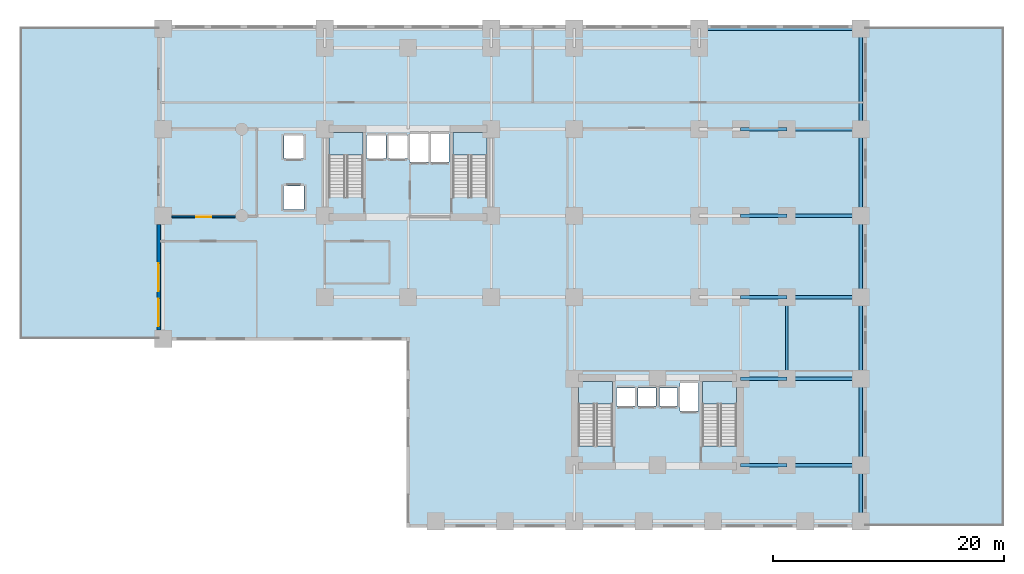
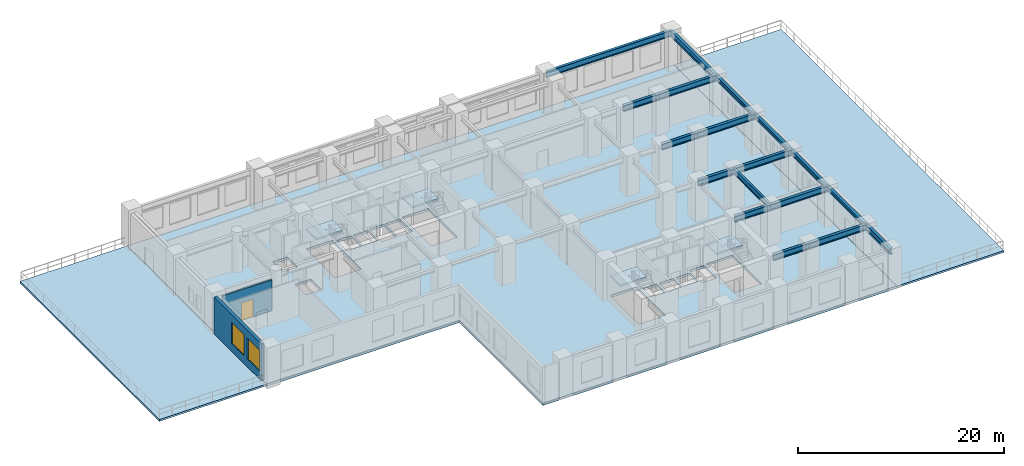
# One storey, part 2 of 10: 18 beams, 7 slabs, 2 walls, 2 windows, 1 door, 3 openings, 4 elements without a shape of their own.
"""IFC4 building model written with IfcOpenShell, lengths in metres."""

from ifc_helpers import new_model, si_unit, direction, frame, frame_2d, origin, origin_2d, place, context, subcontext, project, spatial, polyline, rectangle, i_section, outline, extrude, source, transform, mapped, material, layer, layer_set, material_profile, profile_set, type_object, element, fill, aggregate, save


model = new_model("IFC4")

# Units and contexts
model_context = context("Model", 3, precision=1e-05, world=origin(), true_north=direction((0.0, 1.0)))
body_context = subcontext(model_context, "Body", "Model", "MODEL_VIEW")
ifc_project = project(units=[si_unit("LENGTHUNIT", "METRE"), si_unit("AREAUNIT", "SQUARE_METRE"), si_unit("VOLUMEUNIT", "CUBIC_METRE"), si_unit("PLANEANGLEUNIT", "RADIAN"), si_unit("MASSUNIT", "GRAM", prefix="KILO")], contexts=[model_context])

# Site, building, storey
site_placement = place(None, origin())
site = spatial("IfcSite", under=ifc_project, at=site_placement, CompositionType="ELEMENT")
building_placement = place(site_placement, origin())
building = spatial("IfcBuilding", under=site, at=building_placement, Name="Kaliganga Portal Commons", CompositionType="ELEMENT")
storey_placement = place(building_placement, frame((0.0, 0.0, 15.0)))
storey = spatial("IfcBuildingStorey", under=building, at=storey_placement, Name="L03", CompositionType="ELEMENT", Elevation=15.0)

# Beams
ifc_material_1 = material(Name="Structural steel S355J2", Category="steel")
ifc_material_profile_1 = material_profile(ifc_material_1, i_section(OverallWidth=0.219970703125, OverallDepth=0.60009765625, WebThickness=0.011962890625, FlangeThickness=0.01904296875, FilletRadius=0.02392578125, at=origin_2d()), Name="IPE 600")
ifc_profile_set_1 = profile_set([ifc_material_profile_1], Name="Structural steel S355J2 wide-flange")
beam_type_1 = type_object("IfcBeamType", Name="BM-FLR-600", PredefinedType="BEAM", material=ifc_profile_set_1)
shared_shape_1 = source(origin(), body_context, "Body", "SweptSolid", [
    extrude(i_section(OverallWidth=0.219970703125, OverallDepth=0.60009765625, WebThickness=0.011962890625, FlangeThickness=0.01904296875, FilletRadius=0.02392578125, at=origin_2d()), origin(), (0.0, 0.0, 1.0), 7.050048828125),
])
beam_1_placement = place(storey_placement, frame((54.39990234375, 14.550048828125, 4.080078125), z_axis=(0.0, 1.0, 0.0), x_axis=(-1.0, 0.0, 0.0)))
element("IfcBeam", 1, at=beam_1_placement, inside=storey, type_object=beam_type_1, Name="BM G L03 BNK544", PredefinedType="BEAM", context=body_context, shape_type="MappedRepresentation", body=[
    mapped(shared_shape_1, transform((0.0, 0.0, 0.0), x_axis=(1.0, 0.0, 0.0), y_axis=(0.0, 1.0, 0.0), z_axis=(0.0, 0.0, 1.0), scale=1.0)),
])
ifc_material_profile_2 = material_profile(ifc_material_1, i_section(OverallWidth=0.300048828125, OverallDepth=0.699951171875, WebThickness=0.01708984375, FlangeThickness=0.031982421875, FilletRadius=0.027099609375, at=origin_2d()), Name="HE 700 B")
ifc_profile_set_2 = profile_set([ifc_material_profile_2], Name="Structural steel S355J2 wide-flange")
beam_type_2 = type_object("IfcBeamType", Name="BM-GIRD-700", PredefinedType="USERDEFINED", material=ifc_profile_set_2)
shared_shape_2 = source(origin(), body_context, "Body", "SweptSolid", [
    extrude(i_section(OverallWidth=0.300048828125, OverallDepth=0.699951171875, WebThickness=0.01708984375, FlangeThickness=0.031982421875, FilletRadius=0.027099609375, at=origin_2d()), origin(), (0.0, 0.0, 1.0), 4.0),
])
for number, where, z_axis, x_axis, name in (
    (2, (50.39990234375, 7.050048828125, 4.030029296875), (1.0, 0.0, 0.0), (0.0, 1.0, 0.0), "BM G L03 BKE70 1"),
    (3, (50.39990234375, 14.550048828125, 4.030029296875), (1.0, 0.0, 0.0), (0.0, 1.0, 0.0), "BM G L03 BKE146 1"),
    (4, (50.39990234375, 21.60009765625, 4.030029296875), (1.0, 0.0, 0.0), (0.0, 1.0, 0.0), "BM G L03 BKE216 2"),
    (5, (50.39990234375, 28.64990234375, 4.030029296875), (1.0, 0.0, 0.0), (0.0, 1.0, 0.0), "BM G L03 BKE286 2"),
    (6, (50.39990234375, 36.14990234375, 4.030029296875), (1.0, 0.0, 0.0), (0.0, 1.0, 0.0), "BM G L03 BKE362 2"),
):
    element("IfcBeam", number, at=place(storey_placement, frame(where, z_axis=z_axis, x_axis=x_axis)), inside=storey, type_object=beam_type_2, Name=name, ObjectType="GIRDER", PredefinedType="USERDEFINED", context=body_context, shape_type="MappedRepresentation", body=[
        mapped(shared_shape_2, transform((0.0, 0.0, 0.0), x_axis=(1.0, 0.0, 0.0), y_axis=(0.0, 1.0, 0.0), z_axis=(0.0, 0.0, 1.0), scale=1.0)),
    ])
shared_shape_3 = source(origin(), body_context, "Body", "SweptSolid", [
    extrude(i_section(OverallWidth=0.300048828125, OverallDepth=0.699951171875, WebThickness=0.01708984375, FlangeThickness=0.031982421875, FilletRadius=0.027099609375, at=origin_2d()), origin(), (0.0, 0.0, 1.0), 6.400146484375),
])
for number, where, z_axis, x_axis, name in (
    (7, (54.39990234375, 7.050048828125, 4.030029296875), (1.0, 0.0, 0.0), (0.0, 1.0, 0.0), "BM G L03 BKE70 2"),
    (8, (54.39990234375, 14.550048828125, 4.030029296875), (1.0, 0.0, 0.0), (0.0, 1.0, 0.0), "BM G L03 BKE146 2"),
    (9, (54.39990234375, 21.60009765625, 4.030029296875), (1.0, 0.0, 0.0), (0.0, 1.0, 0.0), "BM G L03 BKE216 3"),
    (10, (54.39990234375, 28.64990234375, 4.030029296875), (1.0, 0.0, 0.0), (0.0, 1.0, 0.0), "BM G L03 BKE286 3"),
    (11, (54.39990234375, 36.14990234375, 4.030029296875), (1.0, 0.0, 0.0), (0.0, 1.0, 0.0), "BM G L03 BKE362 3"),
):
    element("IfcBeam", number, at=place(storey_placement, frame(where, z_axis=z_axis, x_axis=x_axis)), inside=storey, type_object=beam_type_2, Name=name, ObjectType="GIRDER", PredefinedType="USERDEFINED", context=body_context, shape_type="MappedRepresentation", body=[
        mapped(shared_shape_3, transform((0.0, 0.0, 0.0), x_axis=(1.0, 0.0, 0.0), y_axis=(0.0, 1.0, 0.0), z_axis=(0.0, 0.0, 1.0), scale=1.0)),
    ])
shared_shape_4 = source(origin(), body_context, "Body", "SweptSolid", [
    extrude(i_section(OverallWidth=0.300048828125, OverallDepth=0.699951171875, WebThickness=0.01708984375, FlangeThickness=0.031982421875, FilletRadius=0.027099609375, at=origin_2d()), origin(), (0.0, 0.0, 1.0), 8.7001953125),
])
beam_2_placement = place(storey_placement, frame((60.800048828125, 36.14990234375, 4.030029296875), z_axis=(0.0, 1.0, 0.0), x_axis=(-1.0, 0.0, 0.0)))
element("IfcBeam", 12, at=beam_2_placement, inside=storey, type_object=beam_type_2, Name="BM PODP L03 E60 6", ObjectType="GIRDER", PredefinedType="USERDEFINED", context=body_context, shape_type="MappedRepresentation", body=[
    mapped(shared_shape_4, transform((0.0, 0.0, 0.0), x_axis=(1.0, 0.0, 0.0), y_axis=(0.0, 1.0, 0.0), z_axis=(0.0, 0.0, 1.0), scale=1.0)),
])
shared_shape_5 = source(origin(), body_context, "Body", "SweptSolid", [
    extrude(i_section(OverallWidth=0.300048828125, OverallDepth=0.699951171875, WebThickness=0.01708984375, FlangeThickness=0.031982421875, FilletRadius=0.027099609375, at=origin_2d()), origin(), (0.0, 0.0, 1.0), 14.0),
])
beam_3_placement = place(storey_placement, frame((46.800048828125, 44.85009765625, 4.030029296875), z_axis=(1.0, 0.0, 0.0), x_axis=(0.0, 1.0, 0.0)))
element("IfcBeam", 13, at=beam_3_placement, inside=storey, type_object=beam_type_2, Name="BM PODP L03 N44 5", ObjectType="GIRDER", PredefinedType="USERDEFINED", context=body_context, shape_type="MappedRepresentation", body=[
    mapped(shared_shape_5, transform((0.0, 0.0, 0.0), x_axis=(1.0, 0.0, 0.0), y_axis=(0.0, 1.0, 0.0), z_axis=(0.0, 0.0, 1.0), scale=1.0)),
])
shared_shape_6 = source(origin(), body_context, "Body", "SweptSolid", [
    extrude(i_section(OverallWidth=0.300048828125, OverallDepth=0.699951171875, WebThickness=0.01708984375, FlangeThickness=0.031982421875, FilletRadius=0.027099609375, at=origin_2d()), origin(), (0.0, 0.0, 1.0), 4.85009765625),
])
beam_4_placement = place(storey_placement, frame((60.800048828125, 2.199951171875, 4.030029296875), z_axis=(0.0, 1.0, 0.0), x_axis=(-1.0, 0.0, 0.0)))
element("IfcBeam", 14, at=beam_4_placement, inside=storey, type_object=beam_type_2, Name="BM PODP L03 E60 1", ObjectType="GIRDER", PredefinedType="USERDEFINED", context=body_context, shape_type="MappedRepresentation", body=[
    mapped(shared_shape_6, transform((0.0, 0.0, 0.0), x_axis=(1.0, 0.0, 0.0), y_axis=(0.0, 1.0, 0.0), z_axis=(0.0, 0.0, 1.0), scale=1.0)),
])
ifc_material_profile_3 = material_profile(ifc_material_1, i_section(OverallWidth=0.300048828125, OverallDepth=0.5, WebThickness=0.014404296875, FlangeThickness=0.028076171875, FilletRadius=0.027099609375, at=origin_2d()), Name="HE 500 B")
ifc_profile_set_3 = profile_set([ifc_material_profile_3], Name="Structural steel S355J2 wide-flange")
beam_type_3 = type_object("IfcBeamType", Name="BM-SPAND-500", PredefinedType="SPANDREL", material=ifc_profile_set_3)
shared_shape_7 = source(origin(), body_context, "Body", "SweptSolid", [
    extrude(i_section(OverallWidth=0.300048828125, OverallDepth=0.5, WebThickness=0.014404296875, FlangeThickness=0.028076171875, FilletRadius=0.027099609375, at=origin_2d()), origin(), (0.0, 0.0, 1.0), 7.5),
])
for number, where, z_axis, x_axis, name in (
    (15, (60.800048828125, 7.050048828125, 4.1298828125), (0.0, 1.0, 0.0), (-1.0, 0.0, 0.0), "BM SP L03 BE 1"),
    (16, (60.800048828125, 28.64990234375, 4.1298828125), (0.0, 1.0, 0.0), (-1.0, 0.0, 0.0), "BM SP L03 BE 4"),
):
    element("IfcBeam", number, at=place(storey_placement, frame(where, z_axis=z_axis, x_axis=x_axis)), inside=storey, type_object=beam_type_3, Name=name, PredefinedType="SPANDREL", context=body_context, shape_type="MappedRepresentation", body=[
        mapped(shared_shape_7, transform((0.0, 0.0, 0.0), x_axis=(1.0, 0.0, 0.0), y_axis=(0.0, 1.0, 0.0), z_axis=(0.0, 0.0, 1.0), scale=1.0)),
    ])
shared_shape_8 = source(origin(), body_context, "Body", "SweptSolid", [
    extrude(i_section(OverallWidth=0.300048828125, OverallDepth=0.5, WebThickness=0.014404296875, FlangeThickness=0.028076171875, FilletRadius=0.027099609375, at=origin_2d()), origin(), (0.0, 0.0, 1.0), 7.050048828125),
])
beam_5_placement = place(storey_placement, frame((60.800048828125, 14.550048828125, 4.1298828125), z_axis=(0.0, 1.0, 0.0), x_axis=(-1.0, 0.0, 0.0)))
element("IfcBeam", 17, at=beam_5_placement, inside=storey, type_object=beam_type_3, Name="BM SP L03 BE 2", PredefinedType="SPANDREL", context=body_context, shape_type="MappedRepresentation", body=[
    mapped(shared_shape_8, transform((0.0, 0.0, 0.0), x_axis=(1.0, 0.0, 0.0), y_axis=(0.0, 1.0, 0.0), z_axis=(0.0, 0.0, 1.0), scale=1.0)),
])
shared_shape_9 = source(origin(), body_context, "Body", "SweptSolid", [
    extrude(i_section(OverallWidth=0.300048828125, OverallDepth=0.5, WebThickness=0.014404296875, FlangeThickness=0.028076171875, FilletRadius=0.027099609375, at=origin_2d()), origin(), (0.0, 0.0, 1.0), 7.0498046875),
])
beam_6_placement = place(storey_placement, frame((60.800048828125, 21.60009765625, 4.1298828125), z_axis=(0.0, 1.0, 0.0), x_axis=(-1.0, 0.0, 0.0)))
element("IfcBeam", 18, at=beam_6_placement, inside=storey, type_object=beam_type_3, Name="BM SP L03 BE 3", PredefinedType="SPANDREL", context=body_context, shape_type="MappedRepresentation", body=[
    mapped(shared_shape_9, transform((0.0, 0.0, 0.0), x_axis=(1.0, 0.0, 0.0), y_axis=(0.0, 1.0, 0.0), z_axis=(0.0, 0.0, 1.0), scale=1.0)),
])

# Slab
ifc_material_2 = material(Name="Concrete C50/60", Category="concrete")
ifc_layer_1 = layer(ifc_material_2, 0.280029296875)
ifc_layer_set_1 = layer_set([ifc_layer_1], Name="Concrete C50/60")
slab_type_1 = type_object("IfcSlabType", Name="SLB-POD-280", PredefinedType="FLOOR", material=ifc_layer_set_1)
slab_1_placement = place(storey_placement, frame((0.0, 0.0, -0.280029296875)))
element("IfcSlab", 19, at=slab_1_placement, inside=storey, type_object=slab_type_1, Name="Structural Floor Slab L03", PredefinedType="FLOOR", context=body_context, shape_type="SweptSolid", body=[
    extrude(outline(polyline([(21.60009765625, 1.800048828125), (61.199951171875, 1.800048828125), (61.199951171875, 45.0), (0.0, 45.0), (0.0, 18.0), (21.60009765625, 18.0), (21.60009765625, 1.800048828125)]), holes=[polyline([(14.75, 30.25390625), (14.75, 35.85009765625), (17.699951171875, 35.85009765625), (17.699951171875, 30.25390625), (14.75, 30.25390625)]), polyline([(25.5, 30.25390625), (25.5, 35.85009765625), (28.449951171875, 35.85009765625), (28.449951171875, 30.25390625), (25.5, 30.25390625)]), polyline([(36.35009765625, 8.7041015625), (36.35009765625, 14.300048828125), (39.300048828125, 14.300048828125), (39.300048828125, 8.7041015625), (36.35009765625, 8.7041015625)]), polyline([(47.10009765625, 8.7041015625), (47.10009765625, 14.300048828125), (50.050048828125, 14.300048828125), (50.050048828125, 8.7041015625), (47.10009765625, 8.7041015625)]), polyline([(18.014892578125, 33.614990234375), (18.014892578125, 35.5849609375), (19.68505859375, 35.5849609375), (19.68505859375, 33.614990234375), (18.014892578125, 33.614990234375)]), polyline([(19.864990234375, 33.614990234375), (19.864990234375, 35.5849609375), (21.534912109375, 35.5849609375), (21.534912109375, 33.614990234375), (19.864990234375, 33.614990234375)]), polyline([(10.81494140625, 29.18994140625), (10.81494140625, 31.2099609375), (12.5849609375, 31.2099609375), (12.5849609375, 29.18994140625), (10.81494140625, 29.18994140625)]), polyline([(10.864990234375, 33.614990234375), (10.864990234375, 35.5849609375), (12.534912109375, 35.5849609375), (12.534912109375, 33.614990234375), (10.864990234375, 33.614990234375)]), polyline([(21.739990234375, 33.2900390625), (21.739990234375, 35.7099609375), (23.360107421875, 35.7099609375), (23.360107421875, 33.2900390625), (21.739990234375, 33.2900390625)]), polyline([(23.5400390625, 33.2900390625), (23.5400390625, 35.7099609375), (25.159912109375, 35.7099609375), (25.159912109375, 33.2900390625), (23.5400390625, 33.2900390625)]), polyline([(39.6650390625, 12.1650390625), (39.6650390625, 13.735107421875), (41.235107421875, 13.735107421875), (41.235107421875, 12.1650390625), (39.6650390625, 12.1650390625)]), polyline([(41.514892578125, 12.1650390625), (41.514892578125, 13.735107421875), (43.0849609375, 13.735107421875), (43.0849609375, 12.1650390625), (41.514892578125, 12.1650390625)]), polyline([(43.364990234375, 12.1650390625), (43.364990234375, 13.735107421875), (44.93505859375, 13.735107421875), (44.93505859375, 12.1650390625), (43.364990234375, 12.1650390625)]), polyline([(45.139892578125, 11.739990234375), (45.139892578125, 14.159912109375), (46.760009765625, 14.159912109375), (46.760009765625, 11.739990234375), (45.139892578125, 11.739990234375)])]), origin(), (0.0, 0.0, 1.0), 0.280029296875),
])

# Stair, slab
ifc_material_3 = material(Name="Concrete C40/50", Category="concrete")
stair_type = type_object("IfcStairType", Name="ST-CORE-DOGLEG", PredefinedType="HALF_TURN_STAIR", material=ifc_material_3)
stair_1_placement = place(storey_placement, origin())
stair_1 = element("IfcStair", 20, at=stair_1_placement, inside=storey, type_object=stair_type, Name="L03 Protected Exit Stair ST-A1", PredefinedType="HALF_TURN_STAIR")
ifc_layer_2 = layer(ifc_material_3, 0.199951171875)
ifc_layer_set_2 = layer_set([ifc_layer_2], Name="Concrete C40/50")
slab_type_2 = type_object("IfcSlabType", Name="SLB-STAIR-LND", PredefinedType="LANDING", material=ifc_layer_set_2)
slab_2_placement = place(storey_placement, frame((0.0, 0.0, 2.199951171875)))
slab_2 = element("IfcSlab", 21, at=slab_2_placement, type_object=slab_type_2, Name="ST-A1 landing 1", PredefinedType="LANDING", context=body_context, shape_type="SweptSolid", body=[
    extrude(outline(polyline([(17.699951171875, 33.889892578125), (17.699951171875, 35.85009765625), (14.75, 35.85009765625), (14.75, 33.889892578125), (17.699951171875, 33.889892578125)])), origin(), (0.0, 0.0, 1.0), 0.199951171875),
])
aggregate(stair_1, [slab_2])

stair_2_placement = place(storey_placement, origin())
stair_2 = element("IfcStair", 22, at=stair_2_placement, inside=storey, type_object=stair_type, Name="L03 Protected Exit Stair ST-A2", PredefinedType="HALF_TURN_STAIR")
slab_3_placement = place(storey_placement, frame((0.0, 0.0, 2.199951171875)))
slab_3 = element("IfcSlab", 23, at=slab_3_placement, type_object=slab_type_2, Name="ST-A2 landing 1", PredefinedType="LANDING", context=body_context, shape_type="SweptSolid", body=[
    extrude(outline(polyline([(28.449951171875, 33.889892578125), (28.449951171875, 35.85009765625), (25.5, 35.85009765625), (25.5, 33.889892578125), (28.449951171875, 33.889892578125)])), origin(), (0.0, 0.0, 1.0), 0.199951171875),
])
aggregate(stair_2, [slab_3])

stair_3_placement = place(storey_placement, origin())
stair_3 = element("IfcStair", 24, at=stair_3_placement, inside=storey, type_object=stair_type, Name="L03 Protected Exit Stair ST-B1", PredefinedType="HALF_TURN_STAIR")
slab_4_placement = place(storey_placement, frame((0.0, 0.0, 2.199951171875)))
slab_4 = element("IfcSlab", 25, at=slab_4_placement, type_object=slab_type_2, Name="ST-B1 landing 1", PredefinedType="LANDING", context=body_context, shape_type="SweptSolid", body=[
    extrude(outline(polyline([(39.300048828125, 12.340087890625), (39.300048828125, 14.300048828125), (36.35009765625, 14.300048828125), (36.35009765625, 12.340087890625), (39.300048828125, 12.340087890625)])), origin(), (0.0, 0.0, 1.0), 0.199951171875),
])
aggregate(stair_3, [slab_4])

stair_4_placement = place(storey_placement, origin())
stair_4 = element("IfcStair", 26, at=stair_4_placement, inside=storey, type_object=stair_type, Name="L03 Protected Exit Stair ST-B2", PredefinedType="HALF_TURN_STAIR")
slab_5_placement = place(storey_placement, frame((0.0, 0.0, 2.199951171875)))
slab_5 = element("IfcSlab", 27, at=slab_5_placement, type_object=slab_type_2, Name="ST-B2 landing 1", PredefinedType="LANDING", context=body_context, shape_type="SweptSolid", body=[
    extrude(outline(polyline([(50.050048828125, 12.340087890625), (50.050048828125, 14.300048828125), (47.10009765625, 14.300048828125), (47.10009765625, 12.340087890625), (50.050048828125, 12.340087890625)])), origin(), (0.0, 0.0, 1.0), 0.199951171875),
])
aggregate(stair_4, [slab_5])

# Slabs
ifc_layer_3 = layer(ifc_material_3, 0.219970703125)
ifc_layer_set_3 = layer_set([ifc_layer_3], Name="Concrete C40/50")
slab_type_3 = type_object("IfcSlabType", Name="SLB-TERR-220", PredefinedType="FLOOR", material=ifc_layer_set_3)
slab_6_placement = place(storey_placement, frame((0.0, 0.0, -0.219970703125)))
element("IfcSlab", 28, at=slab_6_placement, inside=storey, type_object=slab_type_3, Name="West Waterfront Podium Roof Garden Terrace", PredefinedType="FLOOR", context=body_context, shape_type="SweptSolid", body=[
    extrude(outline(polyline([(-12.0, 18.0), (0.0, 18.0), (0.0, 45.0), (-12.0, 45.0), (-12.0, 18.0)])), origin(), (0.0, 0.0, 1.0), 0.219970703125),
])
slab_7_placement = place(storey_placement, frame((0.0, 0.0, -0.219970703125)))
element("IfcSlab", 29, at=slab_7_placement, inside=storey, type_object=slab_type_3, Name="East Waterfront Podium Roof Garden Terrace", PredefinedType="FLOOR", context=body_context, shape_type="SweptSolid", body=[
    extrude(outline(polyline([(61.199951171875, 1.800048828125), (73.199951171875, 1.800048828125), (73.199951171875, 45.0), (61.199951171875, 45.0), (61.199951171875, 1.800048828125)])), origin(), (0.0, 0.0, 1.0), 0.219970703125),
])

# Wall, openings, windows
ifc_material_4 = material(Name="Precast concrete C40/50", Category="concrete")
ifc_layer_4 = layer(ifc_material_4, 0.300048828125)
ifc_layer_set_4 = layer_set([ifc_layer_4], Name="Precast concrete C40/50")
wall_type_1 = type_object("IfcWallType", Name="WL-EXT-POD-300", PredefinedType="STANDARD", material=ifc_layer_set_4)
wall_1_placement = place(storey_placement, frame((0.0, 18.7509765625, 0.0), z_axis=(0.0, 0.0, 1.0), x_axis=(0.0, 1.0, 0.0)))
wall_1 = element("IfcWall", 30, at=wall_1_placement, inside=storey, type_object=wall_type_1, Name="Exterior Envelope Wall L03 P1-E03-S3", PredefinedType="STANDARD", context=body_context, shape_type="SweptSolid", body=[
    extrude(rectangle(XDim=9.14794921875, YDim=0.300048828125, at=frame_2d((4.573974609375, 0.0))), origin(), (0.0, 0.0, 1.0), 4.360107421875),
])
opening_1_placement = place(wall_1_placement, frame((0.32470703125, 0.0, 0.89990234375)))
opening_1 = element("IfcOpeningElement", 31, at=opening_1_placement, cuts=wall_1, Name="Opening W-05", PredefinedType="OPENING", context=body_context, shape_type="SweptSolid", body=[
    extrude(rectangle(XDim=2.39990234375, YDim=2.5, at=frame_2d((1.199951171875, 1.25))), frame((0.0, 0.16015625, 0.0), z_axis=(0.0, -1.0, 0.0), x_axis=(1.0, 0.0, 0.0)), (0.0, 0.0, 1.0), 0.320068359375),
])
opening_2_placement = place(wall_1_placement, frame((3.3740234375, 0.0, 0.89990234375)))
opening_2 = element("IfcOpeningElement", 32, at=opening_2_placement, cuts=wall_1, Name="Opening W-05", PredefinedType="OPENING", context=body_context, shape_type="SweptSolid", body=[
    extrude(rectangle(XDim=2.39990234375, YDim=2.5, at=frame_2d((1.199951171875, 1.25))), frame((0.0, 0.16015625, 0.0), z_axis=(0.0, -1.0, 0.0), x_axis=(1.0, 0.0, 0.0)), (0.0, 0.0, 1.0), 0.320068359375),
])
ifc_material_5 = material(Name="Thermally Broken Aluminium and Low-E Double Glazing", Category="aluminium")
window_type = type_object("IfcWindowType", Name="WIN-POD-2400", PartitioningType="TRIPLE_PANEL_VERTICAL", PredefinedType="WINDOW", material=ifc_material_5)
window_1_placement = place(opening_1_placement, origin())
window_1 = element("IfcWindow", 33, at=window_1_placement, inside=storey, type_object=window_type, Name="Facade Window L03-P1E03S3-00", OverallHeight=2.5, OverallWidth=2.39990234375, PartitioningType="SINGLE_PANEL", PredefinedType="WINDOW", context=body_context, shape_type="SweptSolid", body=[
    extrude(rectangle(XDim=2.39990234375, YDim=2.5, at=frame_2d((1.199951171875, 1.25))), frame((0.0, 0.030029296875, 0.0), z_axis=(0.0, -1.0, 0.0), x_axis=(1.0, 0.0, 0.0)), (0.0, 0.0, 1.0), 0.06005859375),
])
fill(opening_1, window_1)
window_2_placement = place(opening_2_placement, origin())
window_2 = element("IfcWindow", 34, at=window_2_placement, inside=storey, type_object=window_type, Name="Facade Window L03-P1E03S3-01", OverallHeight=2.5, OverallWidth=2.39990234375, PartitioningType="SINGLE_PANEL", PredefinedType="WINDOW", context=body_context, shape_type="SweptSolid", body=[
    extrude(rectangle(XDim=2.39990234375, YDim=2.5, at=frame_2d((1.199951171875, 1.25))), frame((0.0, 0.030029296875, 0.0), z_axis=(0.0, -1.0, 0.0), x_axis=(1.0, 0.0, 0.0)), (0.0, 0.0, 1.0), 0.06005859375),
])
fill(opening_2, window_2)

# Wall, opening, door
ifc_material_6 = material(Name="Fire-Rated Gypsum Board on Steel Stud", Category="steel")
ifc_layer_5 = layer(ifc_material_6, 0.14990234375)
ifc_layer_set_5 = layer_set([ifc_layer_5], Name="Fire-Rated Gypsum Board on Steel Stud")
wall_type_2 = type_object("IfcWallType", Name="WL-PART-CORR-150", PredefinedType="PARTITIONING", material=ifc_layer_set_5)
wall_2_placement = place(storey_placement, frame((1.14990234375, 28.56005859375, 0.0), z_axis=(0.0, 0.0, 1.0), x_axis=(1.0, 0.0, 0.0)))
wall_2 = element("IfcWall", 35, at=wall_2_placement, inside=storey, type_object=wall_type_2, Name="Interior Partition L03-011", PredefinedType="PARTITIONING", context=body_context, shape_type="SweptSolid", body=[
    extrude(rectangle(XDim=5.5, YDim=0.14990234375, at=frame_2d((2.75, 0.0))), origin(), (0.0, 0.0, 1.0), 3.659912109375),
])
opening_3_placement = place(wall_2_placement, frame((2.10009765625, 0.0, 0.0)))
opening_3 = element("IfcOpeningElement", 36, at=opening_3_placement, cuts=wall_2, Name="Opening RD-03", PredefinedType="OPENING", context=body_context, shape_type="SweptSolid", body=[
    extrude(rectangle(XDim=1.300048828125, YDim=2.1201171875, at=frame_2d((0.64990234375, 1.06005859375))), frame((0.0, 0.0849609375, 0.0), z_axis=(0.0, -1.0, 0.0), x_axis=(1.0, 0.0, 0.0)), (0.0, 0.0, 1.0), 0.169921875),
])
ifc_material_7 = material(Name="Glazed Timber Seminar Vision Door", Category="wood")
door_type = type_object("IfcDoorType", Name="DR-STUDY-1300", OperationType="DOUBLE_DOOR_SINGLE_SWING", PredefinedType="DOOR", material=ifc_material_7)
door_placement = place(opening_3_placement, origin())
door = element("IfcDoor", 37, at=door_placement, inside=storey, type_object=door_type, Name="Interior Door L03-YOGA_W", OperationType="DOUBLE_DOOR_SINGLE_SWING", OverallHeight=2.1201171875, OverallWidth=1.300048828125, PredefinedType="DOOR", context=body_context, shape_type="SweptSolid", body=[
    extrude(rectangle(XDim=1.300048828125, YDim=2.1201171875, at=frame_2d((0.64990234375, 1.06005859375))), frame((0.0, 0.02490234375, 0.0), z_axis=(0.0, -1.0, 0.0), x_axis=(1.0, 0.0, 0.0)), (0.0, 0.0, 1.0), 0.050048828125),
])
fill(opening_3, door)

save(model, "model.ifc")
